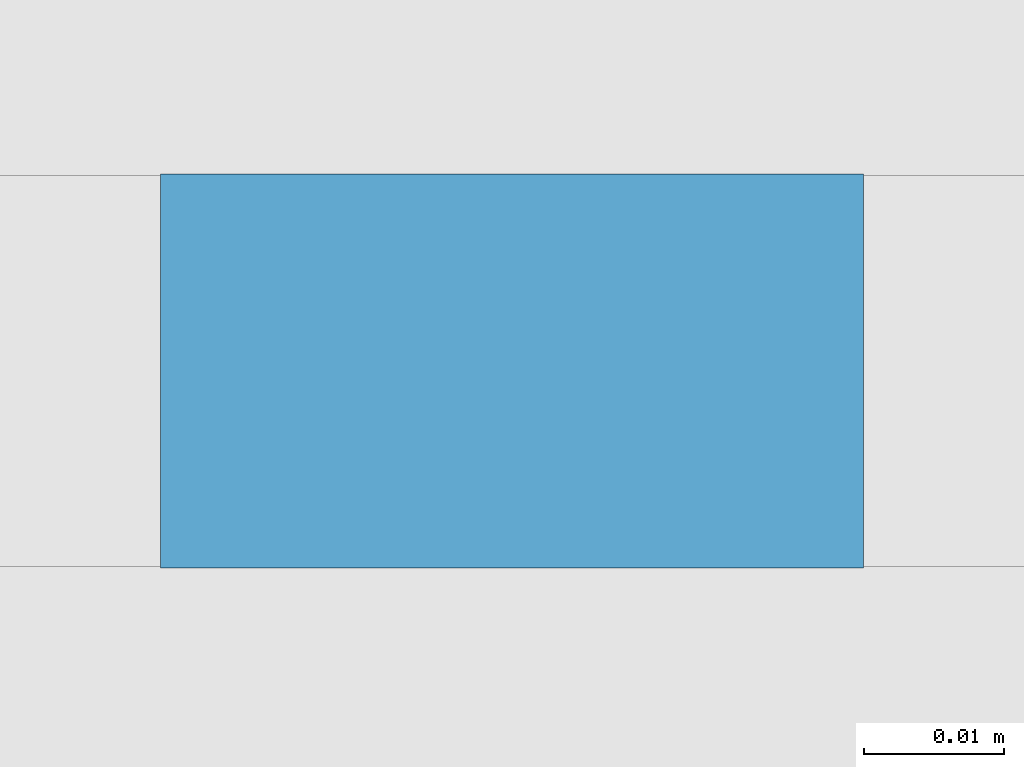
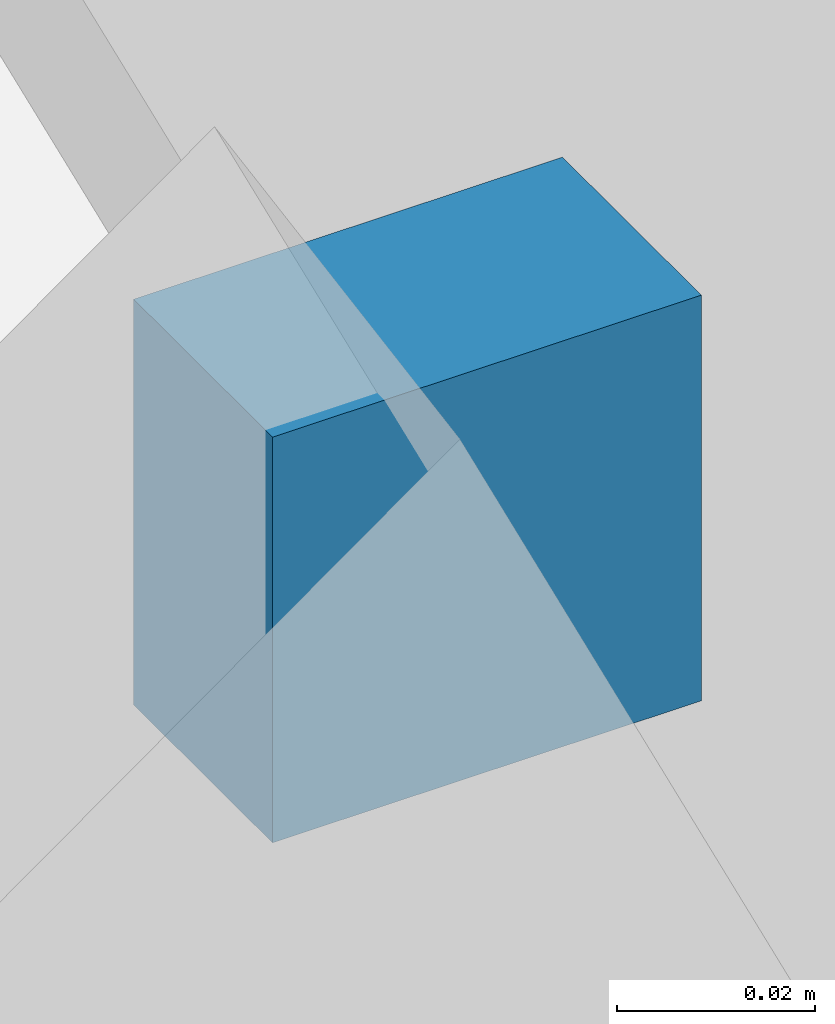
# One storey, part 12 of 18: 1 discrete accessory, 1 element without a shape of its own.
"""IFC4 building model written with IfcOpenShell, lengths in metres."""

from ifc_helpers import new_model, si_unit, direction, frame, origin, origin_2d, place, context, subcontext, project, spatial, rectangle, extrude, material, type_object, element, aggregate, save


model = new_model("IFC4")

# Units and contexts
model_context = context("Model", 3, precision=1e-05, world=origin(), true_north=direction((0.0, 1.0)))
body_context = subcontext(model_context, "Body", "Model", "MODEL_VIEW")
ifc_project = project(units=[si_unit("LENGTHUNIT", "METRE"), si_unit("AREAUNIT", "SQUARE_METRE"), si_unit("VOLUMEUNIT", "CUBIC_METRE"), si_unit("PLANEANGLEUNIT", "RADIAN"), si_unit("MASSUNIT", "GRAM", prefix="KILO")], contexts=[model_context])

# Site, building, storey
site_placement = place(None, origin())
site = spatial("IfcSite", under=ifc_project, at=site_placement, CompositionType="ELEMENT")
building_placement = place(site_placement, origin())
building = spatial("IfcBuilding", under=site, at=building_placement, Name="Tessera Arch", CompositionType="ELEMENT")
storey_placement = place(building_placement, frame((0.0, 0.0, 154.39990234375)))
storey = spatial("IfcBuildingStorey", under=building, at=storey_placement, Name="L36", CompositionType="ELEMENT", Elevation=154.39990234375)

# Curtain wall, discrete accessory
ifc_material = material(Name="CW3 curtain wall")
curtain_wall_type = type_object("IfcCurtainWallType", Name="CW3 curtain wall", PredefinedType="NOTDEFINED", material=ifc_material)
curtain_wall_placement = place(storey_placement, origin())
curtain_wall = element("IfcCurtainWall", 1, at=curtain_wall_placement, inside=storey, type_object=curtain_wall_type, Name="CW3 curtain wall S27.0/1 L36", PredefinedType="NOTDEFINED")
discrete_accessory_placement = place(storey_placement, frame((14.045166015625, 26.9560546875, 1.10888671875), z_axis=(0.0, 0.0, 1.0), x_axis=(1.0, 0.0, 0.0)))
discrete_accessory = element("IfcDiscreteAccessory", 2, at=discrete_accessory_placement, Name="Glazing bracket", PredefinedType="BRACKET", context=body_context, shape_type="SweptSolid", body=[
    extrude(rectangle(XDim=0.050048828125, YDim=0.028076171875, at=origin_2d()), origin(), (0.0, 0.0, 1.0), 0.050048828125),
])
aggregate(curtain_wall, [discrete_accessory])

save(model, "model.ifc")
